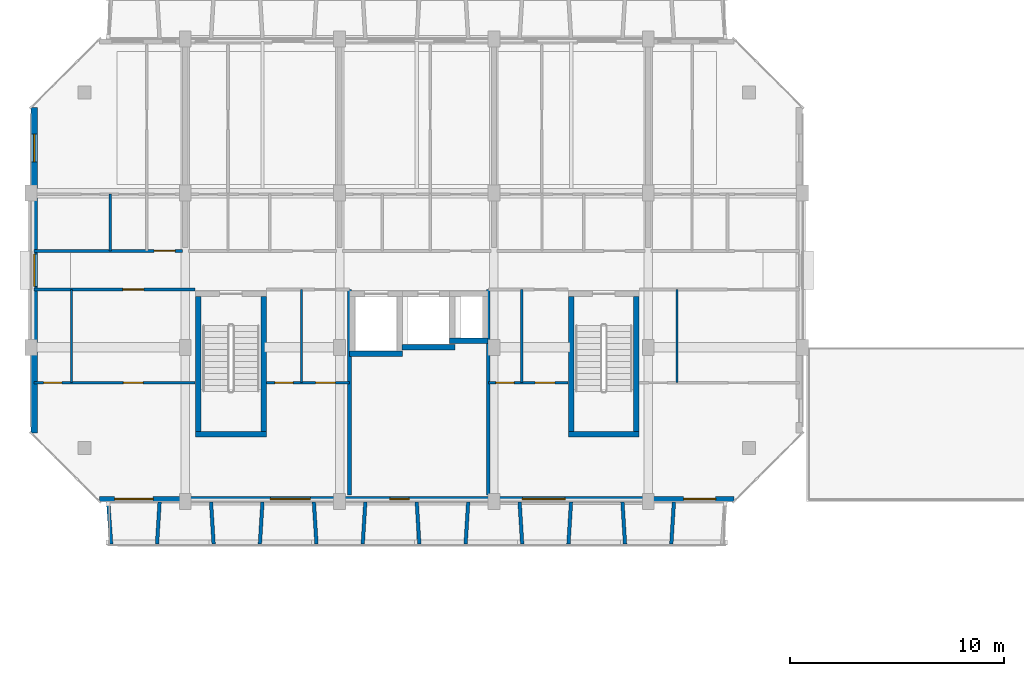
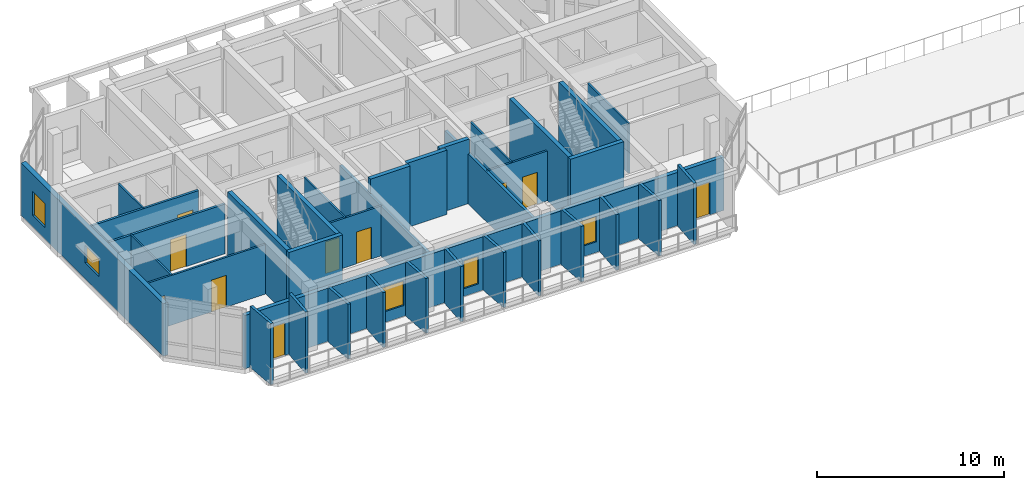
# One storey, part 51 of 85: 35 walls, 10 doors, 5 windows, 15 openings.
"""IFC4 building model written with IfcOpenShell, lengths in metres."""

from ifc_helpers import new_model, si_unit, direction, frame, frame_2d, origin, place, context, subcontext, project, spatial, rectangle, extrude, material, layer, layer_set, type_object, element, fill, save


model = new_model("IFC4")

# Units and contexts
model_context = context("Model", 3, precision=1e-05, world=origin(), true_north=direction((0.0, 1.0)))
body_context = subcontext(model_context, "Body", "Model", "MODEL_VIEW")
ifc_project = project(units=[si_unit("LENGTHUNIT", "METRE"), si_unit("AREAUNIT", "SQUARE_METRE"), si_unit("VOLUMEUNIT", "CUBIC_METRE"), si_unit("PLANEANGLEUNIT", "RADIAN"), si_unit("MASSUNIT", "GRAM", prefix="KILO")], contexts=[model_context])

# Site, building, storey
site_placement = place(None, origin())
site = spatial("IfcSite", under=ifc_project, at=site_placement, CompositionType="ELEMENT")
building_placement = place(site_placement, origin())
building = spatial("IfcBuilding", under=site, at=building_placement, Name="Ochrevale Crest", CompositionType="ELEMENT")
storey_placement = place(building_placement, frame((0.0, 0.0, 4.5)))
storey = spatial("IfcBuildingStorey", under=building, at=storey_placement, Name="L01", CompositionType="ELEMENT", Elevation=4.5)

# Wall, opening, door
ifc_material_1 = material(Name="Gypsum plasterboard", Category="gypsum")
ifc_layer_1 = layer(ifc_material_1, 0.139892578125)
ifc_layer_set_1 = layer_set([ifc_layer_1], Name="Gypsum plasterboard")
wall_type_1 = type_object("IfcWallType", Name="WL-COR-140", PredefinedType="PARTITIONING", material=ifc_layer_set_1)
wall_1_placement = place(storey_placement, frame((0.139892578125, 83.699951171875, 0.0), z_axis=(0.0, 0.0, 1.0), x_axis=(1.0, 0.0, 0.0)))
wall_1 = element("IfcWall", 1, at=wall_1_placement, inside=storey, type_object=wall_type_1, Name="Apartment B-L01-U1 corridor wall", PredefinedType="PARTITIONING", context=body_context, shape_type="SweptSolid", body=[
    extrude(rectangle(XDim=6.920166015625, YDim=0.139892578125, at=frame_2d((3.4599609375, 0.0))), origin(), (0.0, 0.0, 1.0), 3.25),
])
opening_1_placement = place(wall_1_placement, frame((6.5849609375, 0.0, 0.0), z_axis=(0.0, 0.0, 1.0), x_axis=(-1.0, 0.0, 0.0)))
opening_1 = element("IfcOpeningElement", 2, at=opening_1_placement, cuts=wall_1, Name="Opening FD01", PredefinedType="OPENING", context=body_context, shape_type="SweptSolid", body=[
    extrude(rectangle(XDim=0.97998046875, YDim=2.10009765625, at=frame_2d((0.489990234375, 1.050048828125))), frame((0.0, 0.080078125, 0.0), z_axis=(0.0, -1.0, 0.0), x_axis=(1.0, 0.0, 0.0)), (0.0, 0.0, 1.0), 0.159912109375),
])
ifc_material_2 = material(Name="Solid-core FSC hardwood", Category="wood")
door_type_1 = type_object("IfcDoorType", Name="DR-APT-950", OperationType="NOTDEFINED", PredefinedType="DOOR", material=ifc_material_2)
door_1_placement = place(opening_1_placement, origin())
door_1 = element("IfcDoor", 3, at=door_1_placement, inside=storey, type_object=door_type_1, Name="Apartment B-L01-U1 entrance door", OperationType="SINGLE_SWING_RIGHT", OverallHeight=2.10009765625, OverallWidth=0.97998046875, PredefinedType="DOOR", context=body_context, shape_type="SweptSolid", body=[
    extrude(rectangle(XDim=0.97998046875, YDim=2.10009765625, at=frame_2d((0.489990234375, 1.050048828125))), frame((0.0, 0.02490234375, 0.0), z_axis=(0.0, -1.0, 0.0), x_axis=(1.0, 0.0, 0.0)), (0.0, 0.0, 1.0), 0.050048828125),
])
fill(opening_1, door_1)

wall_2_placement = place(storey_placement, frame((0.139892578125, 81.89990234375, 0.0), z_axis=(0.0, 0.0, 1.0), x_axis=(1.0, 0.0, 0.0)))
wall_2 = element("IfcWall", 4, at=wall_2_placement, inside=storey, type_object=wall_type_1, Name="Suite B-L01-CW corridor wall", PredefinedType="PARTITIONING", context=body_context, shape_type="SweptSolid", body=[
    extrude(rectangle(XDim=7.52001953125, YDim=0.139892578125, at=frame_2d((3.760009765625, 0.0))), origin(), (0.0, 0.0, 1.0), 3.25),
])
opening_2_placement = place(wall_2_placement, frame((4.14501953125, 0.0, 0.0)))
opening_2 = element("IfcOpeningElement", 5, at=opening_2_placement, cuts=wall_2, Name="Opening FD01", PredefinedType="OPENING", context=body_context, shape_type="SweptSolid", body=[
    extrude(rectangle(XDim=0.97998046875, YDim=2.10009765625, at=frame_2d((0.489990234375, 1.050048828125))), frame((0.0, 0.080078125, 0.0), z_axis=(0.0, -1.0, 0.0), x_axis=(1.0, 0.0, 0.0)), (0.0, 0.0, 1.0), 0.159912109375),
])
door_2_placement = place(opening_2_placement, origin())
door_2 = element("IfcDoor", 6, at=door_2_placement, inside=storey, type_object=door_type_1, Name="Suite B-L01-CW entrance door", OperationType="SINGLE_SWING_LEFT", OverallHeight=2.10009765625, OverallWidth=0.97998046875, PredefinedType="DOOR", context=body_context, shape_type="SweptSolid", body=[
    extrude(rectangle(XDim=0.97998046875, YDim=2.10009765625, at=frame_2d((0.489990234375, 1.050048828125))), frame((0.0, 0.02490234375, 0.0), z_axis=(0.0, -1.0, 0.0), x_axis=(1.0, 0.0, 0.0)), (0.0, 0.0, 1.0), 0.050048828125),
])
fill(opening_2, door_2)

# Walls
ifc_material_3 = material(Name="Precast concrete C50/60", Category="concrete")
ifc_layer_2 = layer(ifc_material_3, 0.2548828125)
ifc_layer_set_2 = layer_set([ifc_layer_2], Name="Precast concrete C50/60")
wall_type_2 = type_object("IfcWallType", Name="WL-CORE-255", PredefinedType="SHEAR", material=ifc_layer_set_2)
wall_3_placement = place(storey_placement, frame((7.672607421875, 75.14990234375, 0.0), z_axis=(0.0, 0.0, 1.0), x_axis=(1.0, 0.0, 0.0)))
element("IfcWall", 7, at=wall_3_placement, inside=storey, type_object=wall_type_2, Name="Block B L01 Stair 1 precast core shear wall S", PredefinedType="SHEAR", context=body_context, shape_type="SweptSolid", body=[
    extrude(rectangle(XDim=3.304931640625, YDim=0.2548828125, at=frame_2d((1.65234375, 0.0))), origin(), (0.0, 0.0, 1.0), 4.199951171875),
])
for number, where, z_axis, x_axis, name in (
    (8, (7.800048828125, 75.277587890625, 0.0), (0.0, 0.0, 1.0), (0.0, 1.0, 0.0), "Block B L01 Stair 1 precast core shear wall W"),
    (9, (10.85009765625, 75.277587890625, 0.0), (0.0, 0.0, 1.0), (0.0, 1.0, 0.0), "Block B L01 Stair 1 precast core shear wall E"),
):
    element("IfcWall", number, at=place(storey_placement, frame(where, z_axis=z_axis, x_axis=x_axis)), inside=storey, type_object=wall_type_2, Name=name, PredefinedType="SHEAR", context=body_context, shape_type="SweptSolid", body=[
        extrude(rectangle(XDim=6.294921875, YDim=0.2548828125, at=frame_2d((3.1474609375, 0.0))), origin(), (0.0, 0.0, 1.0), 4.199951171875),
    ])
wall_4_placement = place(storey_placement, frame((25.072509765625, 75.14990234375, 0.0), z_axis=(0.0, 0.0, 1.0), x_axis=(1.0, 0.0, 0.0)))
element("IfcWall", 10, at=wall_4_placement, inside=storey, type_object=wall_type_2, Name="Block B L01 Stair 2 precast core shear wall S", PredefinedType="SHEAR", context=body_context, shape_type="SweptSolid", body=[
    extrude(rectangle(XDim=3.304931640625, YDim=0.2548828125, at=frame_2d((1.65234375, 0.0))), origin(), (0.0, 0.0, 1.0), 4.199951171875),
])
for number, where, z_axis, x_axis, name in (
    (11, (25.199951171875, 75.277587890625, 0.0), (0.0, 0.0, 1.0), (0.0, 1.0, 0.0), "Block B L01 Stair 2 precast core shear wall W"),
    (12, (28.25, 75.277587890625, 0.0), (0.0, 0.0, 1.0), (0.0, 1.0, 0.0), "Block B L01 Stair 2 precast core shear wall E"),
):
    element("IfcWall", number, at=place(storey_placement, frame(where, z_axis=z_axis, x_axis=x_axis)), inside=storey, type_object=wall_type_2, Name=name, PredefinedType="SHEAR", context=body_context, shape_type="SweptSolid", body=[
        extrude(rectangle(XDim=6.294921875, YDim=0.2548828125, at=frame_2d((3.1474609375, 0.0))), origin(), (0.0, 0.0, 1.0), 4.199951171875),
    ])
wall_5_placement = place(storey_placement, frame((14.87255859375, 78.89990234375, 0.0), z_axis=(0.0, 0.0, 1.0), x_axis=(1.0, 0.0, 0.0)))
element("IfcWall", 13, at=wall_5_placement, inside=storey, type_object=wall_type_2, Name="Block B L01 Lift 1 precast shaft shear wall S", PredefinedType="SHEAR", context=body_context, shape_type="SweptSolid", body=[
    extrude(rectangle(XDim=2.454833984375, YDim=0.2548828125, at=frame_2d((1.2275390625, 0.0))), origin(), (0.0, 0.0, 1.0), 4.199951171875),
])
wall_6_placement = place(storey_placement, frame((17.322509765625, 79.199951171875, 0.0), z_axis=(0.0, 0.0, 1.0), x_axis=(1.0, 0.0, 0.0)))
element("IfcWall", 14, at=wall_6_placement, inside=storey, type_object=wall_type_2, Name="Block B L01 Lift 2 precast shaft shear wall S", PredefinedType="SHEAR", context=body_context, shape_type="SweptSolid", body=[
    extrude(rectangle(XDim=2.455078125, YDim=0.2548828125, at=frame_2d((1.2275390625, 0.0))), origin(), (0.0, 0.0, 1.0), 4.199951171875),
])
wall_7_placement = place(storey_placement, frame((19.5224609375, 79.5, 0.0), z_axis=(0.0, 0.0, 1.0), x_axis=(1.0, 0.0, 0.0)))
element("IfcWall", 15, at=wall_7_placement, inside=storey, type_object=wall_type_2, Name="Block B L01 services riser shaft core wall S", PredefinedType="SHEAR", context=body_context, shape_type="SweptSolid", body=[
    extrude(rectangle(XDim=1.804931640625, YDim=0.2548828125, at=frame_2d((0.90234375, 0.0))), origin(), (0.0, 0.0, 1.0), 4.199951171875),
])

# Wall, openings, windows
ifc_material_4 = material(Name="Clay face brickwork", Category="masonry")
ifc_layer_3 = layer(ifc_material_4, 0.2900390625)
ifc_layer_set_3 = layer_set([ifc_layer_3], Name="Clay face brickwork")
wall_type_3 = type_object("IfcWallType", Name="WL-EXT-BRICK-290", PredefinedType="SOLIDWALL", material=ifc_layer_set_3)
wall_8_placement = place(storey_placement, frame((0.14501953125, 90.39990234375, 0.0), z_axis=(0.0, 0.0, 1.0), x_axis=(0.0, -1.0, 0.0)))
wall_8 = element("IfcWall", 16, at=wall_8_placement, inside=storey, type_object=wall_type_3, Name="Block B L01 external facade wall E7", PredefinedType="SOLIDWALL", context=body_context, shape_type="SweptSolid", body=[
    extrude(rectangle(XDim=15.199951171875, YDim=0.2900390625, at=frame_2d((7.60009765625, 0.0))), origin(), (0.0, 0.0, 1.0), 3.429931640625),
])
opening_3_placement = place(wall_8_placement, frame((6.85009765625, 0.0, 1.050048828125)))
opening_3 = element("IfcOpeningElement", 17, at=opening_3_placement, cuts=wall_8, Name="Opening W18", PredefinedType="OPENING", context=body_context, shape_type="SweptSolid", body=[
    extrude(rectangle(XDim=1.5, YDim=1.14990234375, at=frame_2d((0.75, 0.574951171875))), frame((0.0, 0.155029296875, 0.0), z_axis=(0.0, -1.0, 0.0), x_axis=(1.0, 0.0, 0.0)), (0.0, 0.0, 1.0), 0.31005859375),
])
opening_4_placement = place(wall_8_placement, frame((1.24755859375, 0.0, 0.75)))
opening_4 = element("IfcOpeningElement", 18, at=opening_4_placement, cuts=wall_8, Name="Opening W30", PredefinedType="OPENING", context=body_context, shape_type="SweptSolid", body=[
    extrude(rectangle(XDim=1.300048828125, YDim=1.550048828125, at=frame_2d((0.64990234375, 0.77490234375))), frame((0.0, 0.155029296875, 0.0), z_axis=(0.0, -1.0, 0.0), x_axis=(1.0, 0.0, 0.0)), (0.0, 0.0, 1.0), 0.31005859375),
])
ifc_material_5 = material(Name="Anodised aluminium 6063-T5 and low-E double glazing", Category="aluminium")
window_type_1 = type_object("IfcWindowType", Name="WIN-W18", PartitioningType="SINGLE_PANEL", PredefinedType="WINDOW", material=ifc_material_5)
window_1_placement = place(opening_3_placement, origin())
window_1 = element("IfcWindow", 19, at=window_1_placement, inside=storey, type_object=window_type_1, Name="Block B L01 corridor end daylight window W", OverallHeight=1.14990234375, OverallWidth=1.5, PartitioningType="SINGLE_PANEL", PredefinedType="WINDOW", context=body_context, shape_type="SweptSolid", body=[
    extrude(rectangle(XDim=1.5, YDim=1.14990234375, at=frame_2d((0.75, 0.574951171875))), frame((0.0, 0.030029296875, 0.0), z_axis=(0.0, -1.0, 0.0), x_axis=(1.0, 0.0, 0.0)), (0.0, 0.0, 1.0), 0.06005859375),
])
fill(opening_3, window_1)
window_type_2 = type_object("IfcWindowType", Name="WIN-W30", PartitioningType="SINGLE_PANEL", PredefinedType="WINDOW", material=ifc_material_5)
window_2_placement = place(opening_4_placement, origin())
window_2 = element("IfcWindow", 20, at=window_2_placement, inside=storey, type_object=window_type_2, Name="Block B L01 side suite window W", OverallHeight=1.550048828125, OverallWidth=1.300048828125, PartitioningType="SINGLE_PANEL", PredefinedType="WINDOW", context=body_context, shape_type="SweptSolid", body=[
    extrude(rectangle(XDim=1.300048828125, YDim=1.550048828125, at=frame_2d((0.64990234375, 0.77490234375))), frame((0.0, 0.030029296875, 0.0), z_axis=(0.0, -1.0, 0.0), x_axis=(1.0, 0.0, 0.0)), (0.0, 0.0, 1.0), 0.06005859375),
])
fill(opening_4, window_2)

# Wall, openings, doors, windows
ifc_material_6 = material(Name="Precast concrete C40/50", Category="concrete")
ifc_layer_4 = layer(ifc_material_6, 0.25)
ifc_layer_set_4 = layer_set([ifc_layer_4], Name="Precast concrete C40/50")
wall_type_4 = type_object("IfcWallType", Name="WL-EXT-GOLD-250", PredefinedType="SOLIDWALL", material=ifc_layer_set_4)
wall_9_placement = place(storey_placement, frame((3.199951171875, 72.125, 0.0), z_axis=(0.0, 0.0, 1.0), x_axis=(1.0, 0.0, 0.0)))
wall_9 = element("IfcWall", 21, at=wall_9_placement, inside=storey, type_object=wall_type_4, Name="Block B L01 external facade wall E1", PredefinedType="SOLIDWALL", context=body_context, shape_type="SweptSolid", body=[
    extrude(rectangle(XDim=29.60009765625, YDim=0.25, at=frame_2d((14.800048828125, 0.0))), origin(), (0.0, 0.0, 1.0), 3.47998046875),
])
opening_5_placement = place(wall_9_placement, frame((2.5, 0.0, 0.0), z_axis=(0.0, 0.0, 1.0), x_axis=(-1.0, 0.0, 0.0)))
opening_5 = element("IfcOpeningElement", 22, at=opening_5_placement, cuts=wall_9, Name="Opening BD03", PredefinedType="OPENING", context=body_context, shape_type="SweptSolid", body=[
    extrude(rectangle(XDim=1.800048828125, YDim=2.14990234375, at=frame_2d((0.89990234375, 1.074951171875))), frame((0.0, 0.135009765625, 0.0), z_axis=(0.0, -1.0, 0.0), x_axis=(1.0, 0.0, 0.0)), (0.0, 0.0, 1.0), 0.27001953125),
])
opening_6_placement = place(wall_9_placement, frame((28.75, 0.0, 0.0), z_axis=(0.0, 0.0, 1.0), x_axis=(-1.0, 0.0, 0.0)))
opening_6 = element("IfcOpeningElement", 23, at=opening_6_placement, cuts=wall_9, Name="Opening BD01", PredefinedType="OPENING", context=body_context, shape_type="SweptSolid", body=[
    extrude(rectangle(XDim=1.5, YDim=2.14990234375, at=frame_2d((0.75, 1.074951171875))), frame((0.0, 0.135009765625, 0.0), z_axis=(0.0, -1.0, 0.0), x_axis=(1.0, 0.0, 0.0)), (0.0, 0.0, 1.0), 0.27001953125),
])
opening_7_placement = place(wall_9_placement, frame((13.544921875, 0.0, 0.5)))
opening_7 = element("IfcOpeningElement", 24, at=opening_7_placement, cuts=wall_9, Name="Opening W17", PredefinedType="OPENING", context=body_context, shape_type="SweptSolid", body=[
    extrude(rectangle(XDim=0.89990234375, YDim=1.800048828125, at=frame_2d((0.449951171875, 0.89990234375))), frame((0.0, 0.135009765625, 0.0), z_axis=(0.0, -1.0, 0.0), x_axis=(1.0, 0.0, 0.0)), (0.0, 0.0, 1.0), 0.27001953125),
])
opening_8_placement = place(wall_9_placement, frame((19.72509765625, 0.0, 0.699951171875)))
opening_8 = element("IfcOpeningElement", 25, at=opening_8_placement, cuts=wall_9, Name="Opening W12", PredefinedType="OPENING", context=body_context, shape_type="SweptSolid", body=[
    extrude(rectangle(XDim=2.0, YDim=1.64990234375, at=frame_2d((1.0, 0.824951171875))), frame((0.0, 0.135009765625, 0.0), z_axis=(0.0, -1.0, 0.0), x_axis=(1.0, 0.0, 0.0)), (0.0, 0.0, 1.0), 0.27001953125),
])
opening_9_placement = place(wall_9_placement, frame((7.969970703125, 0.0, 0.699951171875)))
opening_9 = element("IfcOpeningElement", 26, at=opening_9_placement, cuts=wall_9, Name="Opening W11", PredefinedType="OPENING", context=body_context, shape_type="SweptSolid", body=[
    extrude(rectangle(XDim=1.860107421875, YDim=1.60009765625, at=frame_2d((0.93017578125, 0.800048828125))), frame((0.0, 0.135009765625, 0.0), z_axis=(0.0, -1.0, 0.0), x_axis=(1.0, 0.0, 0.0)), (0.0, 0.0, 1.0), 0.27001953125),
])
ifc_material_7 = material(Name="Anodised aluminium 6063-T5 and toughened glass", Category="aluminium")
door_type_2 = type_object("IfcDoorType", Name="DR-BAL-1500", OperationType="NOTDEFINED", PredefinedType="DOOR", material=ifc_material_7)
door_3_placement = place(opening_6_placement, origin())
door_3 = element("IfcDoor", 27, at=door_3_placement, inside=storey, type_object=door_type_2, Name="Block B L01 balcony door S5", OperationType="SINGLE_SWING_RIGHT", OverallHeight=2.14990234375, OverallWidth=1.5, PredefinedType="DOOR", context=body_context, shape_type="SweptSolid", body=[
    extrude(rectangle(XDim=1.5, YDim=2.14990234375, at=frame_2d((0.75, 1.074951171875))), frame((0.0, 0.02490234375, 0.0), z_axis=(0.0, -1.0, 0.0), x_axis=(1.0, 0.0, 0.0)), (0.0, 0.0, 1.0), 0.050048828125),
])
fill(opening_6, door_3)
door_type_3 = type_object("IfcDoorType", Name="DR-BAL-1800", OperationType="NOTDEFINED", PredefinedType="DOOR", material=ifc_material_7)
door_4_placement = place(opening_5_placement, origin())
door_4 = element("IfcDoor", 28, at=door_4_placement, inside=storey, type_object=door_type_3, Name="Block B L01 balcony door S1", OperationType="SINGLE_SWING_LEFT", OverallHeight=2.14990234375, OverallWidth=1.800048828125, PredefinedType="DOOR", context=body_context, shape_type="SweptSolid", body=[
    extrude(rectangle(XDim=1.800048828125, YDim=2.14990234375, at=frame_2d((0.89990234375, 1.074951171875))), frame((0.0, 0.02490234375, 0.0), z_axis=(0.0, -1.0, 0.0), x_axis=(1.0, 0.0, 0.0)), (0.0, 0.0, 1.0), 0.050048828125),
])
fill(opening_5, door_4)
window_type_3 = type_object("IfcWindowType", Name="WIN-W11", PartitioningType="SINGLE_PANEL", PredefinedType="WINDOW", material=ifc_material_5)
window_3_placement = place(opening_9_placement, origin())
window_3 = element("IfcWindow", 29, at=window_3_placement, inside=storey, type_object=window_type_3, Name="Block B L01 Suite B-L01-MW Courtyard Studio Living window", OverallHeight=1.60009765625, OverallWidth=1.860107421875, PartitioningType="SINGLE_PANEL", PredefinedType="WINDOW", context=body_context, shape_type="SweptSolid", body=[
    extrude(rectangle(XDim=1.860107421875, YDim=1.60009765625, at=frame_2d((0.93017578125, 0.800048828125))), frame((0.0, 0.030029296875, 0.0), z_axis=(0.0, -1.0, 0.0), x_axis=(1.0, 0.0, 0.0)), (0.0, 0.0, 1.0), 0.06005859375),
])
fill(opening_9, window_3)
window_type_4 = type_object("IfcWindowType", Name="WIN-W12", PartitioningType="SINGLE_PANEL", PredefinedType="WINDOW", material=ifc_material_5)
window_4_placement = place(opening_8_placement, origin())
window_4 = element("IfcWindow", 30, at=window_4_placement, inside=storey, type_object=window_type_4, Name="Block B L01 Suite B-L01-ME Garden Alcove Studio window", OverallHeight=1.64990234375, OverallWidth=2.0, PartitioningType="SINGLE_PANEL", PredefinedType="WINDOW", context=body_context, shape_type="SweptSolid", body=[
    extrude(rectangle(XDim=2.0, YDim=1.64990234375, at=frame_2d((1.0, 0.824951171875))), frame((0.0, 0.030029296875, 0.0), z_axis=(0.0, -1.0, 0.0), x_axis=(1.0, 0.0, 0.0)), (0.0, 0.0, 1.0), 0.06005859375),
])
fill(opening_8, window_4)
window_type_5 = type_object("IfcWindowType", Name="WIN-W17", PartitioningType="SINGLE_PANEL", PredefinedType="WINDOW", material=ifc_material_5)
window_5_placement = place(opening_7_placement, origin())
window_5 = element("IfcWindow", 31, at=window_5_placement, inside=storey, type_object=window_type_5, Name="Block B L01 core lancet window", OverallHeight=1.800048828125, OverallWidth=0.89990234375, PartitioningType="SINGLE_PANEL", PredefinedType="WINDOW", context=body_context, shape_type="SweptSolid", body=[
    extrude(rectangle(XDim=0.89990234375, YDim=1.800048828125, at=frame_2d((0.449951171875, 0.89990234375))), frame((0.0, 0.030029296875, 0.0), z_axis=(0.0, -1.0, 0.0), x_axis=(1.0, 0.0, 0.0)), (0.0, 0.0, 1.0), 0.06005859375),
])
fill(opening_7, window_5)

# Walls
ifc_layer_5 = layer(ifc_material_6, 0.1650390625)
ifc_layer_set_5 = layer_set([ifc_layer_5], Name="Precast concrete C40/50")
wall_type_5 = type_object("IfcWallType", Name="WL-HC-CHEEK-165", PredefinedType="ELEMENTEDWALL", material=ifc_layer_set_5)
wall_10_placement = place(storey_placement, frame((3.60009765625, 71.97998046875, 0.0), z_axis=(0.0, 0.0, 1.0), x_axis=(0.071194071069, -0.997462482625, 0.0)))
element("IfcWall", 32, at=wall_10_placement, inside=storey, type_object=wall_type_5, Name="Block B L01 S precast honeycomb cheek 1", PredefinedType="ELEMENTEDWALL", context=body_context, shape_type="SweptSolid", body=[
    extrude(rectangle(XDim=1.96484375, YDim=0.1650390625, at=frame_2d((0.982421875, 0.0))), origin(), (0.0, 0.0, 1.0), 4.0),
])
wall_11_placement = place(storey_placement, frame((6.0, 71.97998046875, 0.0), z_axis=(0.0, 0.0, 1.0), x_axis=(-0.061170732449, -0.998127317276, 0.0)))
element("IfcWall", 33, at=wall_11_placement, inside=storey, type_object=wall_type_5, Name="Block B L01 S precast honeycomb cheek 2", PredefinedType="ELEMENTEDWALL", context=body_context, shape_type="SweptSolid", body=[
    extrude(rectangle(XDim=1.963623046875, YDim=0.1650390625, at=frame_2d((0.98193359375, 0.0))), origin(), (0.0, 0.0, 1.0), 4.0),
])
for number, where, z_axis, x_axis, name in (
    (34, (8.39990234375, 71.97998046875, 0.0), (0.0, 0.0, 1.0), (0.061170732449, -0.998127317276, 0.0), "Block B L01 S precast honeycomb cheek 3"),
    (35, (10.800048828125, 71.97998046875, 0.0), (0.0, 0.0, 1.0), (-0.061170732449, -0.998127317276, 0.0), "Block B L01 S precast honeycomb cheek 4"),
    (36, (13.199951171875, 71.97998046875, 0.0), (0.0, 0.0, 1.0), (0.061170732449, -0.998127317276, 0.0), "Block B L01 S precast honeycomb cheek 5"),
):
    element("IfcWall", number, at=place(storey_placement, frame(where, z_axis=z_axis, x_axis=x_axis)), inside=storey, type_object=wall_type_5, Name=name, PredefinedType="ELEMENTEDWALL", context=body_context, shape_type="SweptSolid", body=[
        extrude(rectangle(XDim=1.963623046875, YDim=0.1650390625, at=frame_2d((0.98193359375, 0.0))), origin(), (0.0, 0.0, 1.0), 3.580078125),
    ])
for number, where, z_axis, x_axis, name in (
    (37, (15.60009765625, 71.97998046875, 0.0), (0.0, 0.0, 1.0), (-0.061170732449, -0.998127317276, 0.0), "Block B L01 S precast honeycomb cheek 6"),
    (38, (18.0, 71.97998046875, 0.0), (0.0, 0.0, 1.0), (0.061170732449, -0.998127317276, 0.0), "Block B L01 S precast honeycomb cheek 7"),
    (39, (20.39990234375, 71.97998046875, 0.0), (0.0, 0.0, 1.0), (-0.061046865508, -0.998134900808, 0.0), "Block B L01 S precast honeycomb cheek 8"),
):
    element("IfcWall", number, at=place(storey_placement, frame(where, z_axis=z_axis, x_axis=x_axis)), inside=storey, type_object=wall_type_5, Name=name, PredefinedType="ELEMENTEDWALL", context=body_context, shape_type="SweptSolid", body=[
        extrude(rectangle(XDim=1.963623046875, YDim=0.1650390625, at=frame_2d((0.98193359375, 0.0))), origin(), (0.0, 0.0, 1.0), 3.60009765625),
    ])
for number, where, z_axis, x_axis, name in (
    (40, (22.800048828125, 71.97998046875, 0.0), (0.0, 0.0, 1.0), (0.061046865508, -0.998134900808, 0.0), "Block B L01 S precast honeycomb cheek 9"),
    (41, (25.199951171875, 71.97998046875, 0.0), (0.0, 0.0, 1.0), (-0.061046865508, -0.998134900808, 0.0), "Block B L01 S precast honeycomb cheek 10"),
    (42, (27.60009765625, 71.97998046875, 0.0), (0.0, 0.0, 1.0), (0.061046865508, -0.998134900808, 0.0), "Block B L01 S precast honeycomb cheek 11"),
):
    element("IfcWall", number, at=place(storey_placement, frame(where, z_axis=z_axis, x_axis=x_axis)), inside=storey, type_object=wall_type_5, Name=name, PredefinedType="ELEMENTEDWALL", context=body_context, shape_type="SweptSolid", body=[
        extrude(rectangle(XDim=1.963623046875, YDim=0.1650390625, at=frame_2d((0.98193359375, 0.0))), origin(), (0.0, 0.0, 1.0), 3.6298828125),
    ])
wall_12_placement = place(storey_placement, frame((30.0, 71.97998046875, 0.0), z_axis=(0.0, 0.0, 1.0), x_axis=(-0.061170732449, -0.998127317276, 0.0)))
element("IfcWall", 43, at=wall_12_placement, inside=storey, type_object=wall_type_5, Name="Block B L01 S precast honeycomb cheek 12", PredefinedType="ELEMENTEDWALL", context=body_context, shape_type="SweptSolid", body=[
    extrude(rectangle(XDim=1.963623046875, YDim=0.1650390625, at=frame_2d((0.98193359375, 0.0))), origin(), (0.0, 0.0, 1.0), 4.0),
])

# Wall, openings, doors
ifc_layer_6 = layer(ifc_material_1, 0.1201171875)
ifc_layer_set_6 = layer_set([ifc_layer_6], Name="Gypsum plasterboard")
wall_type_6 = type_object("IfcWallType", Name="WL-PART-120", PredefinedType="PARTITIONING", material=ifc_layer_set_6)
wall_13_placement = place(storey_placement, frame((0.139892578125, 77.550048828125, 0.0), z_axis=(0.0, 0.0, 1.0), x_axis=(1.0, 0.0, 0.0)))
wall_13 = element("IfcWall", 44, at=wall_13_placement, inside=storey, type_object=wall_type_6, Name="Suite B-L01-CW internal wall", PredefinedType="PARTITIONING", context=body_context, shape_type="SweptSolid", body=[
    extrude(rectangle(XDim=7.52001953125, YDim=0.1201171875, at=frame_2d((3.760009765625, 0.0))), origin(), (0.0, 0.0, 1.0), 3.25),
])
opening_10_placement = place(wall_13_placement, frame((1.300048828125, 0.0, 0.0), z_axis=(0.0, 0.0, 1.0), x_axis=(-1.0, 0.0, 0.0)))
opening_10 = element("IfcOpeningElement", 45, at=opening_10_placement, cuts=wall_13, Name="Opening ID01", PredefinedType="OPENING", context=body_context, shape_type="SweptSolid", body=[
    extrude(rectangle(XDim=0.85009765625, YDim=2.080078125, at=frame_2d((0.425048828125, 1.0400390625))), frame((0.0, 0.070068359375, 0.0), z_axis=(0.0, -1.0, 0.0), x_axis=(1.0, 0.0, 0.0)), (0.0, 0.0, 1.0), 0.14013671875),
])
opening_11_placement = place(wall_13_placement, frame((4.175048828125, 0.0, 0.0)))
opening_11 = element("IfcOpeningElement", 46, at=opening_11_placement, cuts=wall_13, Name="Opening ID04", PredefinedType="OPENING", context=body_context, shape_type="SweptSolid", body=[
    extrude(rectangle(XDim=0.919921875, YDim=2.080078125, at=frame_2d((0.4599609375, 1.0400390625))), frame((0.0, 0.070068359375, 0.0), z_axis=(0.0, -1.0, 0.0), x_axis=(1.0, 0.0, 0.0)), (0.0, 0.0, 1.0), 0.14013671875),
])
door_type_4 = type_object("IfcDoorType", Name="DR-INT-920", OperationType="NOTDEFINED", PredefinedType="DOOR", material=ifc_material_2)
door_5_placement = place(opening_11_placement, origin())
door_5 = element("IfcDoor", 47, at=door_5_placement, inside=storey, type_object=door_type_4, Name="Suite B-L01-CW Garden Alcove Studio door", OperationType="SINGLE_SWING_LEFT", OverallHeight=2.080078125, OverallWidth=0.919921875, PredefinedType="DOOR", context=body_context, shape_type="SweptSolid", body=[
    extrude(rectangle(XDim=0.919921875, YDim=2.080078125, at=frame_2d((0.4599609375, 1.0400390625))), frame((0.0, 0.02490234375, 0.0), z_axis=(0.0, -1.0, 0.0), x_axis=(1.0, 0.0, 0.0)), (0.0, 0.0, 1.0), 0.050048828125),
])
fill(opening_11, door_5)
door_type_5 = type_object("IfcDoorType", Name="DR-WC-850", OperationType="NOTDEFINED", PredefinedType="DOOR", material=ifc_material_2)
door_6_placement = place(opening_10_placement, origin())
door_6 = element("IfcDoor", 48, at=door_6_placement, inside=storey, type_object=door_type_5, Name="Suite B-L01-CW Bathroom door", OperationType="SINGLE_SWING_RIGHT", OverallHeight=2.080078125, OverallWidth=0.85009765625, PredefinedType="DOOR", context=body_context, shape_type="SweptSolid", body=[
    extrude(rectangle(XDim=0.85009765625, YDim=2.080078125, at=frame_2d((0.425048828125, 1.0400390625))), frame((0.0, 0.02490234375, 0.0), z_axis=(0.0, -1.0, 0.0), x_axis=(1.0, 0.0, 0.0)), (0.0, 0.0, 1.0), 0.050048828125),
])
fill(opening_10, door_6)

wall_14_placement = place(storey_placement, frame((10.989990234375, 77.550048828125, 0.0), z_axis=(0.0, 0.0, 1.0), x_axis=(1.0, 0.0, 0.0)))
wall_14 = element("IfcWall", 49, at=wall_14_placement, inside=storey, type_object=wall_type_6, Name="Suite B-L01-MW internal wall", PredefinedType="PARTITIONING", context=body_context, shape_type="SweptSolid", body=[
    extrude(rectangle(XDim=3.8701171875, YDim=0.1201171875, at=frame_2d((1.93505859375, 0.0))), origin(), (0.0, 0.0, 1.0), 3.25),
])
opening_12_placement = place(wall_14_placement, frame((0.3876953125, 0.0, 0.0)))
opening_12 = element("IfcOpeningElement", 50, at=opening_12_placement, cuts=wall_14, Name="Opening ID01", PredefinedType="OPENING", context=body_context, shape_type="SweptSolid", body=[
    extrude(rectangle(XDim=0.85009765625, YDim=2.080078125, at=frame_2d((0.425048828125, 1.0400390625))), frame((0.0, 0.070068359375, 0.0), z_axis=(0.0, -1.0, 0.0), x_axis=(1.0, 0.0, 0.0)), (0.0, 0.0, 1.0), 0.14013671875),
])
opening_13_placement = place(wall_14_placement, frame((3.20751953125, 0.0, 0.0), z_axis=(0.0, 0.0, 1.0), x_axis=(-1.0, 0.0, 0.0)))
opening_13 = element("IfcOpeningElement", 51, at=opening_13_placement, cuts=wall_14, Name="Opening ID04", PredefinedType="OPENING", context=body_context, shape_type="SweptSolid", body=[
    extrude(rectangle(XDim=0.919921875, YDim=2.080078125, at=frame_2d((0.4599609375, 1.0400390625))), frame((0.0, 0.070068359375, 0.0), z_axis=(0.0, -1.0, 0.0), x_axis=(1.0, 0.0, 0.0)), (0.0, 0.0, 1.0), 0.14013671875),
])
door_7_placement = place(opening_13_placement, origin())
door_7 = element("IfcDoor", 52, at=door_7_placement, inside=storey, type_object=door_type_4, Name="Suite B-L01-MW Courtyard Studio Living door", OperationType="SINGLE_SWING_RIGHT", OverallHeight=2.080078125, OverallWidth=0.919921875, PredefinedType="DOOR", context=body_context, shape_type="SweptSolid", body=[
    extrude(rectangle(XDim=0.919921875, YDim=2.080078125, at=frame_2d((0.4599609375, 1.0400390625))), frame((0.0, 0.02490234375, 0.0), z_axis=(0.0, -1.0, 0.0), x_axis=(1.0, 0.0, 0.0)), (0.0, 0.0, 1.0), 0.050048828125),
])
fill(opening_13, door_7)
door_8_placement = place(opening_12_placement, origin())
door_8 = element("IfcDoor", 53, at=door_8_placement, inside=storey, type_object=door_type_5, Name="Suite B-L01-MW Bathroom door", OperationType="SINGLE_SWING_LEFT", OverallHeight=2.080078125, OverallWidth=0.85009765625, PredefinedType="DOOR", context=body_context, shape_type="SweptSolid", body=[
    extrude(rectangle(XDim=0.85009765625, YDim=2.080078125, at=frame_2d((0.425048828125, 1.0400390625))), frame((0.0, 0.02490234375, 0.0), z_axis=(0.0, -1.0, 0.0), x_axis=(1.0, 0.0, 0.0)), (0.0, 0.0, 1.0), 0.050048828125),
])
fill(opening_12, door_8)

wall_15_placement = place(storey_placement, frame((21.340087890625, 77.550048828125, 0.0), z_axis=(0.0, 0.0, 1.0), x_axis=(1.0, 0.0, 0.0)))
wall_15 = element("IfcWall", 54, at=wall_15_placement, inside=storey, type_object=wall_type_6, Name="Suite B-L01-ME internal wall", PredefinedType="PARTITIONING", context=body_context, shape_type="SweptSolid", body=[
    extrude(rectangle(XDim=3.719970703125, YDim=0.1201171875, at=frame_2d((1.85986328125, 0.0))), origin(), (0.0, 0.0, 1.0), 3.25),
])
opening_14_placement = place(wall_15_placement, frame((1.206298828125, 0.0, 0.0), z_axis=(0.0, 0.0, 1.0), x_axis=(-1.0, 0.0, 0.0)))
opening_14 = element("IfcOpeningElement", 55, at=opening_14_placement, cuts=wall_15, Name="Opening ID01", PredefinedType="OPENING", context=body_context, shape_type="SweptSolid", body=[
    extrude(rectangle(XDim=0.85009765625, YDim=2.080078125, at=frame_2d((0.425048828125, 1.0400390625))), frame((0.0, 0.070068359375, 0.0), z_axis=(0.0, -1.0, 0.0), x_axis=(1.0, 0.0, 0.0)), (0.0, 0.0, 1.0), 0.14013671875),
])
opening_15_placement = place(wall_15_placement, frame((2.18115234375, 0.0, 0.0)))
opening_15 = element("IfcOpeningElement", 56, at=opening_15_placement, cuts=wall_15, Name="Opening ID04", PredefinedType="OPENING", context=body_context, shape_type="SweptSolid", body=[
    extrude(rectangle(XDim=0.919921875, YDim=2.080078125, at=frame_2d((0.4599609375, 1.0400390625))), frame((0.0, 0.070068359375, 0.0), z_axis=(0.0, -1.0, 0.0), x_axis=(1.0, 0.0, 0.0)), (0.0, 0.0, 1.0), 0.14013671875),
])
door_9_placement = place(opening_15_placement, origin())
door_9 = element("IfcDoor", 57, at=door_9_placement, inside=storey, type_object=door_type_4, Name="Suite B-L01-ME Garden Alcove Studio door", OperationType="SINGLE_SWING_LEFT", OverallHeight=2.080078125, OverallWidth=0.919921875, PredefinedType="DOOR", context=body_context, shape_type="SweptSolid", body=[
    extrude(rectangle(XDim=0.919921875, YDim=2.080078125, at=frame_2d((0.4599609375, 1.0400390625))), frame((0.0, 0.02490234375, 0.0), z_axis=(0.0, -1.0, 0.0), x_axis=(1.0, 0.0, 0.0)), (0.0, 0.0, 1.0), 0.050048828125),
])
fill(opening_15, door_9)
door_10_placement = place(opening_14_placement, origin())
door_10 = element("IfcDoor", 58, at=door_10_placement, inside=storey, type_object=door_type_5, Name="Suite B-L01-ME Bathroom door", OperationType="SINGLE_SWING_RIGHT", OverallHeight=2.080078125, OverallWidth=0.85009765625, PredefinedType="DOOR", context=body_context, shape_type="SweptSolid", body=[
    extrude(rectangle(XDim=0.85009765625, YDim=2.080078125, at=frame_2d((0.425048828125, 1.0400390625))), frame((0.0, 0.02490234375, 0.0), z_axis=(0.0, -1.0, 0.0), x_axis=(1.0, 0.0, 0.0)), (0.0, 0.0, 1.0), 0.050048828125),
])
fill(opening_14, door_10)

# Walls
ifc_layer_7 = layer(ifc_material_1, 0.169921875)
ifc_layer_set_7 = layer_set([ifc_layer_7], Name="Gypsum plasterboard")
wall_type_7 = type_object("IfcWallType", Name="WL-TEN-170", PredefinedType="PARTITIONING", material=ifc_layer_set_7)
for number, where, z_axis, x_axis, name in (
    (59, (14.860107421875, 72.300048828125, 0.0), (0.0, 0.0, 1.0), (0.0, 1.0, 0.0), "Suite B-L01-MW east party wall"),
    (60, (21.340087890625, 72.300048828125, 0.0), (0.0, 0.0, 1.0), (0.0, 1.0, 0.0), "Suite B-L01-ME west party wall"),
):
    element("IfcWall", number, at=place(storey_placement, frame(where, z_axis=z_axis, x_axis=x_axis)), inside=storey, type_object=wall_type_7, Name=name, PredefinedType="PARTITIONING", context=body_context, shape_type="SweptSolid", body=[
        extrude(rectangle(XDim=9.599853515625, YDim=0.169921875, at=frame_2d((4.7998046875, 0.0))), origin(), (0.0, 0.0, 1.0), 3.25),
    ])
ifc_layer_8 = layer(ifc_material_1, 0.10009765625)
ifc_layer_set_8 = layer_set([ifc_layer_8], Name="Gypsum plasterboard")
wall_type_8 = type_object("IfcWallType", Name="WL-WET-100", PredefinedType="PARTITIONING", material=ifc_layer_set_8)
wall_16_placement = place(storey_placement, frame((3.699951171875, 83.699951171875, 0.0), z_axis=(0.0, 0.0, 1.0), x_axis=(0.0, 1.0, 0.0)))
element("IfcWall", 61, at=wall_16_placement, inside=storey, type_object=wall_type_8, Name="Apartment B-L01-U1 bath-kitchen wall", PredefinedType="PARTITIONING", context=body_context, shape_type="SweptSolid", body=[
    extrude(rectangle(XDim=2.650146484375, YDim=0.10009765625, at=frame_2d((1.3251953125, 0.0))), origin(), (0.0, 0.0, 1.0), 3.25),
])
for number, where, z_axis, x_axis, name in (
    (62, (1.889892578125, 77.550048828125, 0.0), (0.0, 0.0, 1.0), (0.0, 1.0, 0.0), "Suite B-L01-CW bathroom divider"),
    (63, (12.615478515625, 77.550048828125, 0.0), (0.0, 0.0, 1.0), (0.0, 1.0, 0.0), "Suite B-L01-MW bathroom divider"),
    (64, (22.90234375, 77.550048828125, 0.0), (0.0, 0.0, 1.0), (0.0, 1.0, 0.0), "Suite B-L01-ME bathroom divider"),
    (65, (30.139892578125, 77.550048828125, 0.0), (0.0, 0.0, 1.0), (0.0, 1.0, 0.0), "Suite B-L01-CE bathroom divider"),
):
    element("IfcWall", number, at=place(storey_placement, frame(where, z_axis=z_axis, x_axis=x_axis)), inside=storey, type_object=wall_type_8, Name=name, PredefinedType="PARTITIONING", context=body_context, shape_type="SweptSolid", body=[
        extrude(rectangle(XDim=4.349853515625, YDim=0.10009765625, at=frame_2d((2.1748046875, 0.0))), origin(), (0.0, 0.0, 1.0), 3.25),
    ])

save(model, "model.ifc")
